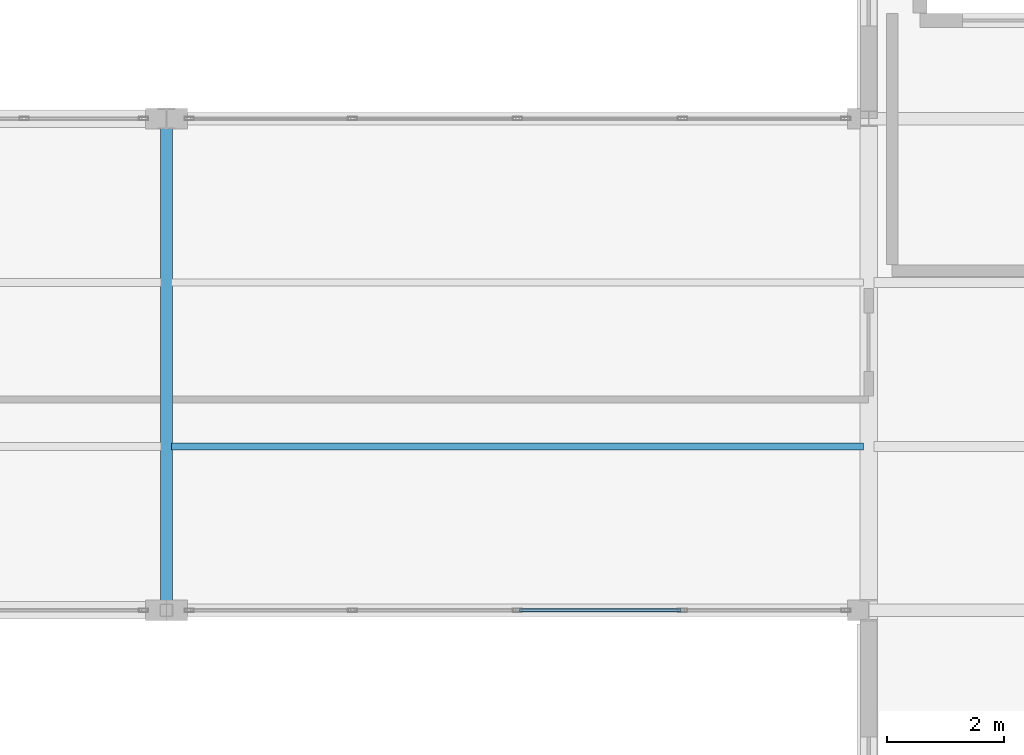
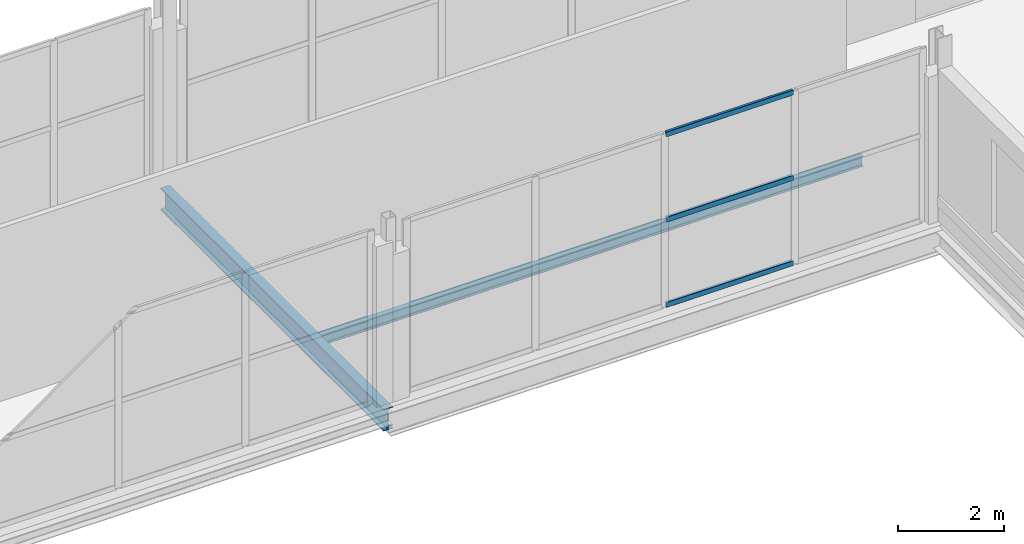
# One storey, part 56 of 101: 3 members, 2 beams, 1 element without a shape of its own.
"""IFC4 building model written with IfcOpenShell, lengths in metres."""

import ifcopenshell
import ifcopenshell.guid

model = None  # the IFC model being written
_history = None  # IfcOwnerHistory: only IFC2X3 demands one
_inside = {}  # id of a spatial element -> (the spatial element, [elements in it])
_under = {}  # id of a project, library or spatial element -> (it, [spatial elements below it])
_declared = {}  # id of a project -> (the project, [libraries it declares])
_typed = {}  # id of a type object -> (the type object, [elements of that type])
_made_of = {}  # id of a material, layer set ... -> (it, [elements and type objects made of it])


def new_model(schema):
    """Start an empty IFC model of exactly this schema.

    Asked for "IFC4X3", IfcOpenShell would pick the latest addendum, in which some entities
    have other attributes; the version numbers below select the first issue.
    IFC2X3 requires an IfcOwnerHistory on every rooted entity: one is made here for all.
    """
    global model, _history
    if schema == "IFC4X3":
        model = ifcopenshell.file(schema_version=(4, 3, 0, 0))
    else:
        model = ifcopenshell.file(schema=schema)
    _inside.clear()
    _under.clear()
    _declared.clear()
    _typed.clear()
    _made_of.clear()
    _history = None
    if model.schema == "IFC2X3":
        org = make("IfcOrganization", Name="unknown")
        user = make(
            "IfcPersonAndOrganization",
            ThePerson=make("IfcPerson", FamilyName="unknown"),
            TheOrganization=org,
        )
        app = make(
            "IfcApplication",
            ApplicationDeveloper=org,
            Version="unknown",
            ApplicationFullName="unknown",
            ApplicationIdentifier="unknown",
        )
        _history = make(
            "IfcOwnerHistory",
            OwningUser=user,
            OwningApplication=app,
            ChangeAction="ADDED",
            CreationDate=0,
        )
    return model


def make(cls, **values):
    """One entity of the class cls with the attributes given. An attribute that is None is left unset."""
    return model.create_entity(
        cls, **{name: value for name, value in values.items() if value is not None}
    )


def rooted(cls, **values):
    """An entity with a GlobalId (a new one), such as an element, a storey or a relation."""
    return make(cls, GlobalId=ifcopenshell.guid.new(), OwnerHistory=_history, **values)


def si_unit(unit_type, name, prefix=None):
    """IfcSIUnit, for example si_unit("LENGTHUNIT", "METRE", prefix="MILLI")."""
    return make("IfcSIUnit", UnitType=unit_type, Prefix=prefix, Name=name)


def assignment(units):
    """IfcUnitAssignment: the units of a project."""
    return None if units is None else make("IfcUnitAssignment", Units=units)


def point(xyz):
    """IfcCartesianPoint."""
    return None if xyz is None else make("IfcCartesianPoint", Coordinates=xyz)


def direction(xyz):
    """IfcDirection."""
    return None if xyz is None else make("IfcDirection", DirectionRatios=xyz)


def frame(location, z_axis=None, x_axis=None):
    """IfcAxis2Placement3D, a coordinate frame: its origin and axes. An axis left out is left unset."""
    return make(
        "IfcAxis2Placement3D",
        Location=point(location),
        Axis=direction(z_axis),
        RefDirection=direction(x_axis),
    )


def frame_2d(location, x_axis=None):
    """IfcAxis2Placement2D, a coordinate frame in the plane: its origin and x axis."""
    return make(
        "IfcAxis2Placement2D", Location=point(location), RefDirection=direction(x_axis)
    )


def origin():
    """The frame at (0, 0, 0) with its axes left unset."""
    return frame((0.0, 0.0, 0.0))


def origin_2d():
    """The frame at (0, 0) in the plane with its x axis left unset."""
    return frame_2d((0.0, 0.0))


def place(relative_to, where):
    """IfcLocalPlacement: puts the frame where relative to a parent placement (None: the world)."""
    return make(
        "IfcLocalPlacement", PlacementRelTo=relative_to, RelativePlacement=where
    )


def context(
    kind, dimensions, precision=None, world=None, true_north=None, identifier=None
):
    """IfcGeometricRepresentationContext, for example the 3D "Model" context."""
    return make(
        "IfcGeometricRepresentationContext",
        ContextIdentifier=identifier,
        ContextType=kind,
        CoordinateSpaceDimension=dimensions,
        Precision=precision,
        WorldCoordinateSystem=world,
        TrueNorth=true_north,
    )


def subcontext(parent, identifier, kind, view, scale=None):
    """IfcGeometricRepresentationSubContext, for example "Body" below "Model"."""
    return make(
        "IfcGeometricRepresentationSubContext",
        ContextIdentifier=identifier,
        ContextType=kind,
        ParentContext=parent,
        TargetScale=scale,
        TargetView=view,
    )


def project(units=None, contexts=None):
    """IfcProject with its units and contexts."""
    return rooted(
        "IfcProject",
        Name="project",
        RepresentationContexts=contexts,
        UnitsInContext=assignment(units),
    )


def spatial(cls, under=None, at=None, **own):
    """A site, building, storey or space (cls), placed at a placement, below another one or the project."""
    s = rooted(cls, ObjectPlacement=at, **own)
    if under is not None:
        _under.setdefault(under.id(), (under, []))[1].append(s)
    return s


def profile(cls, at=None, kind="AREA", **sizes):
    """A parametric profile (cls). Its sizes go by their IFC names, for example OverallWidth=200.0."""
    return make(cls, ProfileType=kind, Position=at, **sizes)


def hollow_rectangle(**sizes):
    """IfcRectangleHollowProfileDef."""
    return profile("IfcRectangleHollowProfileDef", **sizes)


def i_section(**sizes):
    """IfcIShapeProfileDef."""
    return profile("IfcIShapeProfileDef", **sizes)


def extrude(swept, where, along, depth):
    """IfcExtrudedAreaSolid: the profile swept, set in the frame where, extruded along a direction by depth."""
    return make(
        "IfcExtrudedAreaSolid",
        SweptArea=swept,
        Position=where,
        ExtrudedDirection=direction(along),
        Depth=depth,
    )


def shape(context_of_items, identifier, shape_type, items):
    """IfcShapeRepresentation: the items that make up one representation, for example the "Body"."""
    return make(
        "IfcShapeRepresentation",
        ContextOfItems=context_of_items,
        RepresentationIdentifier=identifier,
        RepresentationType=shape_type,
        Items=items,
    )


def material(Name=None, Category=None):
    """IfcMaterial."""
    return make("IfcMaterial", Name=Name, Category=Category)


def layer(
    of_material, thickness, ventilated=None, Name=None, Category=None, Priority=None
):
    """IfcMaterialLayer: one layer of a wall or slab, of a material (None: an air gap)."""
    return make(
        "IfcMaterialLayer",
        Material=of_material,
        LayerThickness=thickness,
        IsVentilated=ventilated,
        Name=Name,
        Category=Category,
        Priority=Priority,
    )


def layer_set(layers, Name=None):
    """IfcMaterialLayerSet."""
    return make("IfcMaterialLayerSet", MaterialLayers=layers, LayerSetName=Name)


def material_profile(
    of_material, cross_section, Name=None, Category=None, Priority=None
):
    """IfcMaterialProfile: a cross section and its material."""
    return make(
        "IfcMaterialProfile",
        Name=Name,
        Material=of_material,
        Profile=cross_section,
        Priority=Priority,
        Category=Category,
    )


def profile_set(profiles, Name=None, composite=None):
    """IfcMaterialProfileSet."""
    return make(
        "IfcMaterialProfileSet",
        Name=Name,
        MaterialProfiles=profiles,
        CompositeProfile=composite,
    )


def made_of(thing, what):
    """Note that an element or type object is made of a material, layer set ...; save() writes the relation."""
    if what is not None:
        _made_of.setdefault(what.id(), (what, []))[1].append(thing)
    return thing


def type_object(cls, material=None, **own):
    """A type object (cls), such as IfcWallType, which elements share."""
    return made_of(rooted(cls, **own), material)


def element(
    cls,
    number,
    at=None,
    inside=None,
    cuts=None,
    type_object=None,
    material=None,
    context=None,
    identifier="Body",
    shape_type=None,
    held_by="IfcProductDefinitionShape",
    body=None,
    shapes=None,
    **own,
):
    """One element of the class cls, such as IfcWall. Its Tag is "e" and its number.

    at: its placement. inside: the storey or other place that contains it. cuts: it is an
    opening in that element (IfcRelVoidsElement). A single representation is given by context,
    identifier, shape_type and body (its items); several are given by shapes. held_by: the class
    of the entity that holds the representations. save() writes the other relations.
    """
    e = rooted(cls, Tag="e%d" % number, ObjectPlacement=at, **own)
    if body is not None:
        shapes = [shape(context, identifier, shape_type, body)]
    if shapes is not None:
        e.Representation = make(held_by, Representations=shapes)
    if inside is not None:
        _inside.setdefault(inside.id(), (inside, []))[1].append(e)
    if cuts is not None:
        rooted(
            "IfcRelVoidsElement", RelatingBuildingElement=cuts, RelatedOpeningElement=e
        )
    if type_object is not None:
        _typed.setdefault(type_object.id(), (type_object, []))[1].append(e)
    return made_of(e, material)


def aggregate(whole, parts):
    """IfcRelAggregates: a whole, such as a stair, and the parts it consists of."""
    return rooted("IfcRelAggregates", RelatingObject=whole, RelatedObjects=parts)


def save(model, path):
    """Write the relations noted so far, then the file.

    IfcRelAggregates (storeys below a building ...), IfcRelContainedInSpatialStructure (elements
    in a storey), IfcRelDefinesByType, IfcRelAssociatesMaterial and IfcRelDeclares: one each for
    every whole, place, type object, material and project.
    """
    for whole, parts in _under.values():
        aggregate(whole, parts)
    for where, things in _inside.values():
        rooted(
            "IfcRelContainedInSpatialStructure",
            RelatedElements=things,
            RelatingStructure=where,
        )
    for kind, things in _typed.values():
        rooted("IfcRelDefinesByType", RelatedObjects=things, RelatingType=kind)
    for what, things in _made_of.values():
        rooted("IfcRelAssociatesMaterial", RelatedObjects=things, RelatingMaterial=what)
    for by, libraries in _declared.values():
        rooted("IfcRelDeclares", RelatingContext=by, RelatedDefinitions=libraries)
    model.write(path)


model = new_model("IFC4")

# Units and contexts
model_context = context("Model", 3, precision=1e-05, world=origin(), true_north=direction((0.0, 1.0)))
body_context = subcontext(model_context, "Body", "Model", "MODEL_VIEW")
ifc_project = project(units=[si_unit("LENGTHUNIT", "METRE"), si_unit("AREAUNIT", "SQUARE_METRE"), si_unit("VOLUMEUNIT", "CUBIC_METRE"), si_unit("PLANEANGLEUNIT", "RADIAN"), si_unit("MASSUNIT", "GRAM", prefix="KILO")], contexts=[model_context])

# Site, building, storey
site_placement = place(None, origin())
site = spatial("IfcSite", under=ifc_project, at=site_placement, CompositionType="ELEMENT")
building_placement = place(site_placement, origin())
building = spatial("IfcBuilding", under=site, at=building_placement, Name="Vekula Escarpment Museum", CompositionType="ELEMENT")
storey_placement = place(building_placement, frame((0.0, 0.0, 18.0)))
storey = spatial("IfcBuildingStorey", under=building, at=storey_placement, Name="L04", CompositionType="ELEMENT", Elevation=18.0)

# Beams
ifc_material_1 = material(Name="Steel S355", Category="steel")
ifc_material_profile_1 = material_profile(ifc_material_1, i_section(OverallWidth=0.199951171875, OverallDepth=0.5, WebThickness=0.01025390625, FlangeThickness=0.01611328125, FilletRadius=0.02099609375, at=origin_2d()), Name="IPE 500")
ifc_profile_set_1 = profile_set([ifc_material_profile_1], Name="Steel S355")
beam_type_1 = type_object("IfcBeamType", Name="BM-GIRD-IPE500", PredefinedType="BEAM", material=ifc_profile_set_1)
beam_1_placement = place(storey_placement, frame((155.0, 68.0, -0.489990234375), z_axis=(0.0, 1.0, 0.0), x_axis=(-1.0, 0.0, 0.0)))
element("IfcBeam", 1, at=beam_1_placement, inside=storey, type_object=beam_type_1, Name="Beam Y L04 1919", PredefinedType="BEAM", context=body_context, shape_type="SweptSolid", body=[
    extrude(i_section(OverallWidth=0.199951171875, OverallDepth=0.5, WebThickness=0.01025390625, FlangeThickness=0.01611328125, FilletRadius=0.02099609375, at=origin_2d()), origin(), (0.0, 0.0, 1.0), 8.39990234375),
])
ifc_material_2 = material(Name="Steel S355", Category="steel")
ifc_material_profile_2 = material_profile(ifc_material_2, i_section(OverallWidth=0.1201171875, OverallDepth=0.239990234375, WebThickness=0.006103515625, FlangeThickness=0.009765625, FilletRadius=0.014892578125, at=origin_2d()), Name="IPE 240")
ifc_profile_set_2 = profile_set([ifc_material_profile_2], Name="Steel S355")
beam_type_2 = type_object("IfcBeamType", Name="BM-JST-IPE240", PredefinedType="JOIST", material=ifc_profile_set_2)
beam_2_placement = place(storey_placement, frame((155.090087890625, 70.800048828125, -0.39990234375), z_axis=(1.0, 0.0, 0.0), x_axis=(0.0, 1.0, 0.0)))
element("IfcBeam", 2, at=beam_2_placement, inside=storey, type_object=beam_type_2, Name="Secondary Joist L04 1244", PredefinedType="JOIST", context=body_context, shape_type="SweptSolid", body=[
    extrude(i_section(OverallWidth=0.1201171875, OverallDepth=0.239990234375, WebThickness=0.006103515625, FlangeThickness=0.009765625, FilletRadius=0.014892578125, at=origin_2d()), origin(), (0.0, 0.0, 1.0), 11.81982421875),
])

# Curtain wall, members
ifc_material_3 = material(Name="Aluminium thermally broken framing", Category="aluminium")
ifc_layer = layer(ifc_material_3, 0.159912109375)
ifc_layer_set = layer_set([ifc_layer], Name="Aluminium thermally broken framing")
curtain_wall_type = type_object("IfcCurtainWallType", Name="CW-SYS-05", PredefinedType="NOTDEFINED", material=ifc_layer_set)
curtain_wall_placement = place(storey_placement, origin())
curtain_wall = element("IfcCurtainWall", 3, at=curtain_wall_placement, inside=storey, type_object=curtain_wall_type, Name="Curtain Wall CW-L04-145", PredefinedType="NOTDEFINED")
ifc_material_4 = material(Name="Aluminium anodized transom", Category="aluminium")
ifc_material_profile_3 = material_profile(ifc_material_4, hollow_rectangle(XDim=0.06005859375, YDim=0.1201171875, WallThickness=0.00390625, InnerFilletRadius=0.00390625, OuterFilletRadius=0.008056640625, at=origin_2d()), Name="ALU 120x60x4")
ifc_profile_set_3 = profile_set([ifc_material_profile_3], Name="Aluminium anodized transom")
member_type = type_object("IfcMemberType", Name="CW-TRN-120", PredefinedType="USERDEFINED", material=ifc_profile_set_3)
member_1_placement = place(storey_placement, frame((161.030029296875, 68.0, 0.030029296875), z_axis=(1.0, 0.0, 0.0), x_axis=(0.0, 1.0, 0.0)))
member_1 = element("IfcMember", 4, at=member_1_placement, type_object=member_type, Name="CW-05 transom 3.1", ObjectType="TRANSOM", PredefinedType="USERDEFINED", context=body_context, shape_type="SweptSolid", body=[
    extrude(hollow_rectangle(XDim=0.06005859375, YDim=0.1201171875, WallThickness=0.00390625, InnerFilletRadius=0.00390625, OuterFilletRadius=0.008056640625, at=origin_2d()), origin(), (0.0, 0.0, 1.0), 2.760009765625),
])
member_2_placement = place(storey_placement, frame((161.030029296875, 68.0, 1.989990234375), z_axis=(1.0, 0.0, 0.0), x_axis=(0.0, 1.0, 0.0)))
member_2 = element("IfcMember", 5, at=member_2_placement, type_object=member_type, Name="CW-05 transom 3.2", ObjectType="TRANSOM", PredefinedType="USERDEFINED", context=body_context, shape_type="SweptSolid", body=[
    extrude(hollow_rectangle(XDim=0.06005859375, YDim=0.1201171875, WallThickness=0.00390625, InnerFilletRadius=0.00390625, OuterFilletRadius=0.008056640625, at=origin_2d()), origin(), (0.0, 0.0, 1.0), 2.760009765625),
])
member_3_placement = place(storey_placement, frame((161.030029296875, 68.0, 3.949951171875), z_axis=(1.0, 0.0, 0.0), x_axis=(0.0, 1.0, 0.0)))
member_3 = element("IfcMember", 6, at=member_3_placement, type_object=member_type, Name="CW-05 transom 3.3", ObjectType="TRANSOM", PredefinedType="USERDEFINED", context=body_context, shape_type="SweptSolid", body=[
    extrude(hollow_rectangle(XDim=0.06005859375, YDim=0.1201171875, WallThickness=0.00390625, InnerFilletRadius=0.00390625, OuterFilletRadius=0.008056640625, at=origin_2d()), origin(), (0.0, 0.0, 1.0), 2.760009765625),
])
aggregate(curtain_wall, [member_1, member_2, member_3])

save(model, "model.ifc")
